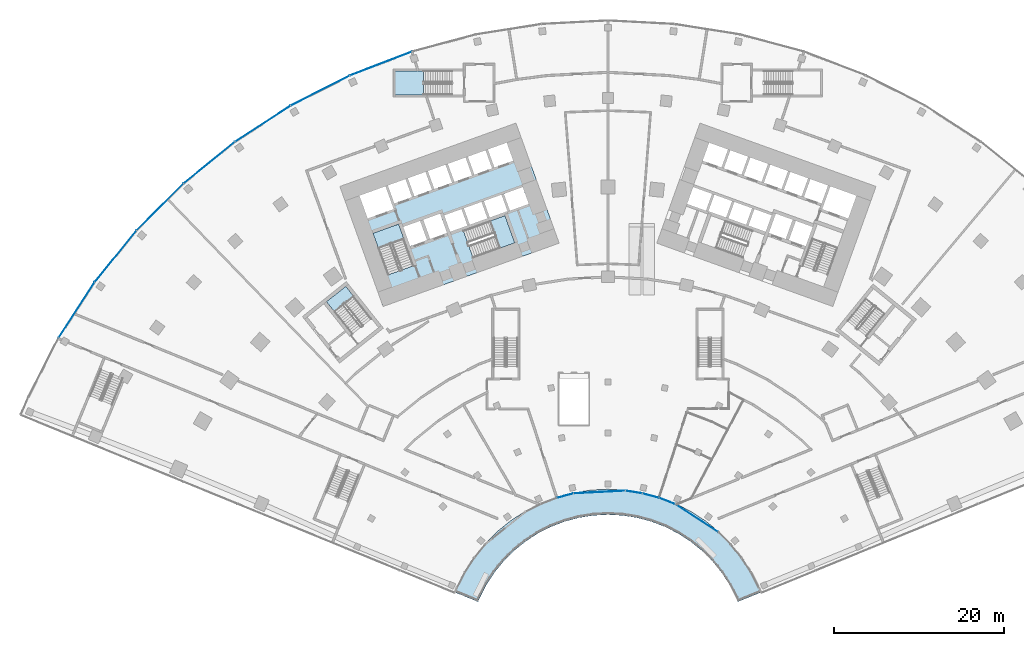
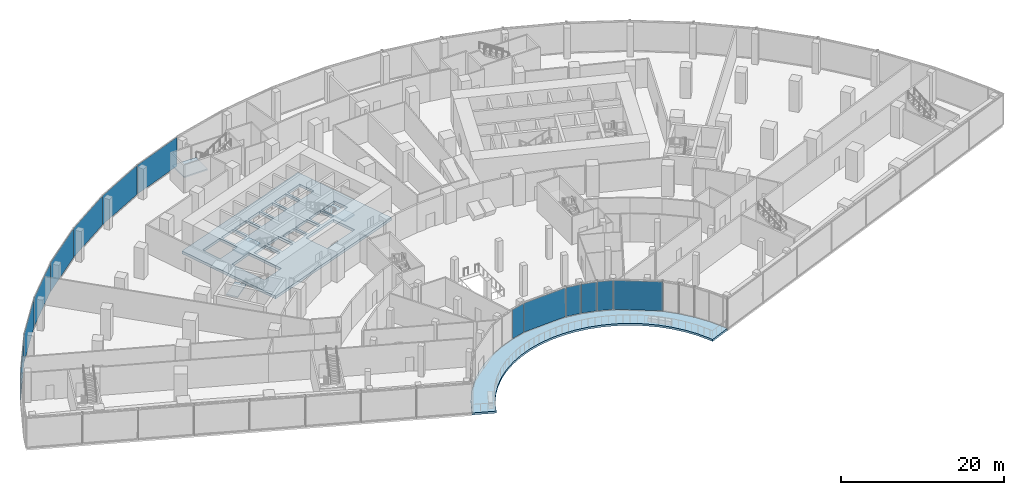
# One storey, part 19 of 40: 13 plates, 6 slabs, 6 elements without a shape of their own.
"""IFC4 building model written with IfcOpenShell, lengths in metres."""

from ifc_helpers import new_model, si_unit, direction, frame, origin, origin_2d, place, context, subcontext, project, spatial, polyline, rectangle, outline, extrude, material, layer, layer_set, type_object, element, aggregate, save


model = new_model("IFC4")

# Units and contexts
model_context = context("Model", 3, precision=1e-05, world=origin(), true_north=direction((0.0, 1.0)))
body_context = subcontext(model_context, "Body", "Model", "MODEL_VIEW")
ifc_project = project(units=[si_unit("LENGTHUNIT", "METRE"), si_unit("AREAUNIT", "SQUARE_METRE"), si_unit("VOLUMEUNIT", "CUBIC_METRE"), si_unit("PLANEANGLEUNIT", "RADIAN"), si_unit("MASSUNIT", "GRAM", prefix="KILO")], contexts=[model_context])

# Site, building, storey
site_placement = place(None, origin())
site = spatial("IfcSite", under=ifc_project, at=site_placement, CompositionType="ELEMENT")
building_placement = place(site_placement, origin())
building = spatial("IfcBuilding", under=site, at=building_placement, Name="Stone Belt Terrace Tower", CompositionType="ELEMENT")
storey_placement = place(building_placement, frame((0.0, 0.0, 7.0)))
storey = spatial("IfcBuildingStorey", under=building, at=storey_placement, Name="L01", CompositionType="ELEMENT", Elevation=7.0)

# Curtain wall, plates
ifc_material_1 = material(Name="Aluminium 6063-T6 anodised frame", Category="aluminium")
ifc_layer_1 = layer(ifc_material_1, 0.14990234375)
ifc_layer_set_1 = layer_set([ifc_layer_1], Name="CW-D podium shopfront")
curtain_wall_type = type_object("IfcCurtainWallType", Name="CW-D podium shopfront", PredefinedType="NOTDEFINED", material=ifc_layer_set_1)
curtain_wall_1_placement = place(storey_placement, origin())
curtain_wall_1 = element("IfcCurtainWall", 1, at=curtain_wall_1_placement, inside=storey, type_object=curtain_wall_type, Name="CW-D concave face L01", PredefinedType="NOTDEFINED")
ifc_material_2 = material(Name="Clear double glazed unit")
ifc_layer_2 = layer(ifc_material_2, 0.031982421875)
ifc_layer_set_2 = layer_set([ifc_layer_2], Name="CW-D glass panel 32")
plate_type = type_object("IfcPlateType", Name="CW-D glass panel 32", PredefinedType="CURTAIN_PANEL", material=ifc_layer_set_2)
plate_1_placement = place(storey_placement, frame((-5.0244140625, 18.736328125, 0.14013671875), z_axis=(0.0, 0.0, 1.0), x_axis=(0.965925826289, 0.258819045103, 0.0)))
plate_1 = element("IfcPlate", 2, at=plate_1_placement, type_object=plate_type, Name="CW-D panel 8.1", PredefinedType="CURTAIN_PANEL", context=body_context, shape_type="SweptSolid", body=[
    extrude(rectangle(XDim=1.957763671875, YDim=0.031982421875, at=origin_2d()), origin(), (0.0, 0.0, 1.0), 4.320068359375),
])
plate_2_placement = place(storey_placement, frame((-1.004150390625, 19.15869140625, 0.14013671875), z_axis=(0.0, 0.0, 1.0), x_axis=(0.998629534755, 0.052335956243, 0.0)))
plate_2 = element("IfcPlate", 3, at=plate_2_placement, type_object=plate_type, Name="CW-D panel 9.1", PredefinedType="CURTAIN_PANEL", context=body_context, shape_type="SweptSolid", body=[
    extrude(rectangle(XDim=6.009765625, YDim=0.031982421875, at=origin_2d()), origin(), (0.0, 0.0, 1.0), 4.320068359375),
])
plate_3_placement = place(storey_placement, frame((3.038330078125, 19.158935546875, 0.14013671875), z_axis=(0.0, 0.0, 1.0), x_axis=(0.987688340595, -0.15643446504, 0.0)))
plate_3 = element("IfcPlate", 4, at=plate_3_placement, type_object=plate_type, Name="CW-D panel 10.1", PredefinedType="CURTAIN_PANEL", context=body_context, shape_type="SweptSolid", body=[
    extrude(rectangle(XDim=1.957763671875, YDim=0.031982421875, at=origin_2d()), origin(), (0.0, 0.0, 1.0), 4.320068359375),
])
plate_4_placement = place(storey_placement, frame((5.020751953125, 18.7373046875, 0.14013671875), z_axis=(0.0, 0.0, 1.0), x_axis=(0.965925826289, -0.258819045103, 0.0)))
plate_4 = element("IfcPlate", 5, at=plate_4_placement, type_object=plate_type, Name="CW-D panel 11.1", PredefinedType="CURTAIN_PANEL", context=body_context, shape_type="SweptSolid", body=[
    extrude(rectangle(XDim=1.965576171875, YDim=0.031982421875, at=origin_2d()), origin(), (0.0, 0.0, 1.0), 4.320068359375),
])
plate_5_placement = place(storey_placement, frame((6.947998046875, 18.111328125, 0.14013671875), z_axis=(0.0, 0.0, 1.0), x_axis=(0.933580426497, -0.358367949545, 0.0)))
plate_5 = element("IfcPlate", 6, at=plate_5_placement, type_object=plate_type, Name="CW-D panel 12.1", PredefinedType="CURTAIN_PANEL", context=body_context, shape_type="SweptSolid", body=[
    extrude(rectangle(XDim=1.957763671875, YDim=0.031982421875, at=origin_2d()), origin(), (0.0, 0.0, 1.0), 4.320068359375),
])
plate_6_placement = place(storey_placement, frame((10.448974609375, 16.08984375, 0.14013671875), z_axis=(0.0, 0.0, 1.0), x_axis=(0.838670567945, -0.544639035015, 0.0)))
plate_6 = element("IfcPlate", 7, at=plate_6_placement, type_object=plate_type, Name="CW-D panel 13.1", PredefinedType="CURTAIN_PANEL", context=body_context, shape_type="SweptSolid", body=[
    extrude(rectangle(XDim=6.009765625, YDim=0.031982421875, at=origin_2d()), origin(), (0.0, 0.0, 1.0), 4.320068359375),
])
aggregate(curtain_wall_1, [plate_1, plate_2, plate_3, plate_4, plate_5, plate_6])

curtain_wall_2_placement = place(storey_placement, origin())
curtain_wall_2 = element("IfcCurtainWall", 8, at=curtain_wall_2_placement, inside=storey, type_object=curtain_wall_type, Name="CW-D convex face L01", PredefinedType="NOTDEFINED")
plate_7_placement = place(storey_placement, frame((-26.688720703125, 69.5263671875, 0.14013671875), z_axis=(0.0, 0.0, 1.0), x_axis=(-0.933580426497, -0.358367949545, 0.0)))
plate_7 = element("IfcPlate", 9, at=plate_7_placement, type_object=plate_type, Name="CW-D panel 16.1", PredefinedType="CURTAIN_PANEL", context=body_context, shape_type="SweptSolid", body=[
    extrude(rectangle(XDim=7.738037109375, YDim=0.031982421875, at=origin_2d()), origin(), (0.0, 0.0, 1.0), 4.320068359375),
])
plate_8_placement = place(storey_placement, frame((-33.81005859375, 66.35595703125, 0.14013671875), z_axis=(0.0, 0.0, 1.0), x_axis=(-0.891006524188, -0.45399049974, 0.0)))
plate_8 = element("IfcPlate", 10, at=plate_8_placement, type_object=plate_type, Name="CW-D panel 17.1", PredefinedType="CURTAIN_PANEL", context=body_context, shape_type="SweptSolid", body=[
    extrude(rectangle(XDim=7.738037109375, YDim=0.031982421875, at=origin_2d()), origin(), (0.0, 0.0, 1.0), 4.320068359375),
])
plate_9_placement = place(storey_placement, frame((-40.560791015625, 62.458251953125, 0.14013671875), z_axis=(0.0, 0.0, 1.0), x_axis=(-0.838670567945, -0.544639035015, 0.0)))
plate_9 = element("IfcPlate", 11, at=plate_9_placement, type_object=plate_type, Name="CW-D panel 18.1", PredefinedType="CURTAIN_PANEL", context=body_context, shape_type="SweptSolid", body=[
    extrude(rectangle(XDim=7.738037109375, YDim=0.031982421875, at=origin_2d()), origin(), (0.0, 0.0, 1.0), 4.320068359375),
])
plate_10_placement = place(storey_placement, frame((-46.867431640625, 57.876220703125, 0.14013671875), z_axis=(0.0, 0.0, 1.0), x_axis=(-0.777145961457, -0.62932039105, 0.0)))
plate_10 = element("IfcPlate", 12, at=plate_10_placement, type_object=plate_type, Name="CW-D panel 19.1", PredefinedType="CURTAIN_PANEL", context=body_context, shape_type="SweptSolid", body=[
    extrude(rectangle(XDim=7.738037109375, YDim=0.031982421875, at=origin_2d()), origin(), (0.0, 0.0, 1.0), 4.320068359375),
])
plate_11_placement = place(storey_placement, frame((-52.660400390625, 52.660400390625, 0.14013671875), z_axis=(0.0, 0.0, 1.0), x_axis=(-0.707106781187, -0.707106781187, 0.0)))
plate_11 = element("IfcPlate", 13, at=plate_11_placement, type_object=plate_type, Name="CW-D panel 20.1", PredefinedType="CURTAIN_PANEL", context=body_context, shape_type="SweptSolid", body=[
    extrude(rectangle(XDim=7.738037109375, YDim=0.031982421875, at=origin_2d()), origin(), (0.0, 0.0, 1.0), 4.320068359375),
])
plate_12_placement = place(storey_placement, frame((-57.876220703125, 46.867431640625, 0.14013671875), z_axis=(0.0, 0.0, 1.0), x_axis=(-0.62932039105, -0.777145961457, 0.0)))
plate_12 = element("IfcPlate", 14, at=plate_12_placement, type_object=plate_type, Name="CW-D panel 21.1", PredefinedType="CURTAIN_PANEL", context=body_context, shape_type="SweptSolid", body=[
    extrude(rectangle(XDim=7.738037109375, YDim=0.031982421875, at=origin_2d()), origin(), (0.0, 0.0, 1.0), 4.320068359375),
])
plate_13_placement = place(storey_placement, frame((-62.458251953125, 40.560791015625, 0.14013671875), z_axis=(0.0, 0.0, 1.0), x_axis=(-0.544639035015, -0.838670567945, 0.0)))
plate_13 = element("IfcPlate", 15, at=plate_13_placement, type_object=plate_type, Name="CW-D panel 22.1", PredefinedType="CURTAIN_PANEL", context=body_context, shape_type="SweptSolid", body=[
    extrude(rectangle(XDim=7.738037109375, YDim=0.031982421875, at=origin_2d()), origin(), (0.0, 0.0, 1.0), 4.320068359375),
])
aggregate(curtain_wall_2, [plate_7, plate_8, plate_9, plate_10, plate_11, plate_12, plate_13])

# Slab
ifc_material_3 = material(Name="Concrete B40", Category="concrete")
ifc_layer_3 = layer(ifc_material_3, 0.39990234375)
ifc_layer_set_3 = layer_set([ifc_layer_3], Name="Core floor slab 400")
slab_type_1 = type_object("IfcSlabType", Name="Core floor slab 400", PredefinedType="FLOOR", material=ifc_layer_set_3)
slab_1_placement = place(storey_placement, frame((0.0, 0.0, -0.39990234375)))
element("IfcSlab", 16, at=slab_1_placement, inside=storey, type_object=slab_type_1, Name="Core A floor L01", PredefinedType="FLOOR", context=body_context, shape_type="SweptSolid", body=[
    extrude(outline(polyline([(-26.43505859375, 40.968994140625), (-5.735107421875, 48.4189453125), (-10.81396484375, 62.531982421875), (-31.513916015625, 55.0830078125), (-26.43505859375, 40.968994140625)]), holes=[polyline([(-24.60791015625, 50.659912109375), (-22.847900390625, 45.76806640625), (-25.85888671875, 44.68408203125), (-27.618896484375, 49.575927734375), (-24.60791015625, 50.659912109375)]), polyline([(-21.27392578125, 48.778076171875), (-23.25, 48.06689453125), (-24.06298828125, 50.324951171875), (-22.0869140625, 51.035888671875), (-21.27392578125, 48.778076171875)]), polyline([(-18.922119140625, 49.6240234375), (-20.89794921875, 48.9130859375), (-21.7109375, 51.1708984375), (-19.735107421875, 51.883056640625), (-18.922119140625, 49.6240234375)]), polyline([(-19.239990234375, 51.68896484375), (-17.217041015625, 52.4169921875), (-16.52294921875, 50.488037109375), (-18.5458984375, 49.760009765625), (-19.239990234375, 51.68896484375)]), polyline([(-29.2109375, 53.9990234375), (-26.153076171875, 55.09912109375), (-25.18798828125, 52.41796875), (-28.24609375, 51.31689453125), (-29.2109375, 53.9990234375)]), polyline([(-23.801025390625, 55.946044921875), (-23.0390625, 53.8291015625), (-25.10888671875, 53.083984375), (-25.87109375, 55.200927734375), (-23.801025390625, 55.946044921875)]), polyline([(-21.447998046875, 56.7919921875), (-20.68603515625, 54.675048828125), (-22.756103515625, 53.929931640625), (-23.51806640625, 56.047119140625), (-21.447998046875, 56.7919921875)]), polyline([(-19.095947265625, 57.638916015625), (-18.333984375, 55.52197265625), (-20.404052734375, 54.777099609375), (-21.166015625, 56.89404296875), (-19.095947265625, 57.638916015625)]), polyline([(-15.846923828125, 46.69189453125), (-16.998046875, 49.89208984375), (-12.10595703125, 51.652099609375), (-10.955078125, 48.452880859375), (-15.846923828125, 46.69189453125)]), polyline([(-16.239990234375, 50.589111328125), (-16.93408203125, 52.51806640625), (-14.864013671875, 53.262939453125), (-14.169921875, 51.333984375), (-16.239990234375, 50.589111328125)]), polyline([(-11.801025390625, 52.134033203125), (-11.847900390625, 52.116943359375), (-11.864990234375, 52.1640625), (-13.887939453125, 51.43603515625), (-14.58203125, 53.364990234375), (-12.511962890625, 54.110107421875), (-11.801025390625, 52.134033203125)]), polyline([(-9.30810546875, 53.031005859375), (-11.51904296875, 52.235107421875), (-12.22998046875, 54.2109375), (-10.01904296875, 55.007080078125), (-9.30810546875, 53.031005859375)]), polyline([(-16.743896484375, 58.485107421875), (-15.98193359375, 56.367919921875), (-18.052001953125, 55.623046875), (-18.81396484375, 57.739990234375), (-16.743896484375, 58.485107421875)]), polyline([(-14.39111328125, 59.33203125), (-13.6298828125, 57.215087890625), (-15.699951171875, 56.469970703125), (-16.4609375, 58.5869140625), (-14.39111328125, 59.33203125)]), polyline([(-11.89794921875, 60.22900390625), (-11.135986328125, 58.112060546875), (-13.346923828125, 57.31591796875), (-14.10888671875, 59.43408203125), (-11.89794921875, 60.22900390625)])]), origin(), (0.0, 0.0, 1.0), 0.39990234375),
])

# Stair, slab
ifc_material_4 = material(Name="Concrete B30", Category="concrete")
stair_type_1 = type_object("IfcStairType", Name="Podium stair concrete B30", PredefinedType="HALF_TURN_STAIR", material=ifc_material_4)
stair_1_placement = place(storey_placement, origin())
stair_1 = element("IfcStair", 17, at=stair_1_placement, inside=storey, type_object=stair_type_1, Name="L01 podium exit stair 7", PredefinedType="HALF_TURN_STAIR")
ifc_layer_4 = layer(ifc_material_4, 0.199951171875)
ifc_layer_set_4 = layer_set([ifc_layer_4], Name="Podium stair landing concrete B30")
slab_type_2 = type_object("IfcSlabType", Name="Podium stair landing concrete B30", PredefinedType="LANDING", material=ifc_layer_set_4)
slab_2_placement = place(storey_placement, frame((0.0, 0.0, 2.10009765625)))
slab_2 = element("IfcSlab", 18, at=slab_2_placement, type_object=slab_type_2, Name="PS7 landing 1", PredefinedType="LANDING", context=body_context, shape_type="SweptSolid", body=[
    extrude(outline(polyline([(-21.697021484375, 68.675048828125), (-25.010009765625, 68.675048828125), (-25.010009765625, 65.824951171875), (-21.697021484375, 65.824951171875), (-21.697021484375, 68.675048828125)])), origin(), (0.0, 0.0, 1.0), 0.199951171875),
])
aggregate(stair_1, [slab_2])

stair_type_2 = type_object("IfcStairType", Name="Exit stair 1500", PredefinedType="HALF_TURN_STAIR", material=ifc_material_3)
stair_2_placement = place(storey_placement, origin())
stair_2 = element("IfcStair", 19, at=stair_2_placement, inside=storey, type_object=stair_type_2, Name="L01 Exit stair 1 core A", PredefinedType="HALF_TURN_STAIR")
ifc_layer_5 = layer(ifc_material_3, 0.199951171875)
ifc_layer_set_5 = layer_set([ifc_layer_5], Name="Stair landing 200")
slab_type_3 = type_object("IfcSlabType", Name="Stair landing 200", PredefinedType="LANDING", material=ifc_layer_set_5)
slab_3_placement = place(storey_placement, frame((0.0, 0.0, 2.10009765625)))
slab_3 = element("IfcSlab", 20, at=slab_3_placement, type_object=slab_type_3, Name="ST1A landing 1", PredefinedType="LANDING", context=body_context, shape_type="SweptSolid", body=[
    extrude(outline(polyline([(-23.985107421875, 48.927734375), (-24.6083984375, 50.659912109375), (-27.619384765625, 49.576171875), (-26.99609375, 47.84423828125), (-23.985107421875, 48.927734375)])), origin(), (0.0, 0.0, 1.0), 0.199951171875),
])
aggregate(stair_2, [slab_3])

stair_3_placement = place(storey_placement, origin())
stair_3 = element("IfcStair", 21, at=stair_3_placement, inside=storey, type_object=stair_type_2, Name="L01 Exit stair 2 core A", PredefinedType="HALF_TURN_STAIR")
slab_4_placement = place(storey_placement, frame((0.0, 0.0, 2.10009765625)))
slab_4 = element("IfcSlab", 22, at=slab_4_placement, type_object=slab_type_3, Name="ST2A landing 1", PredefinedType="LANDING", context=body_context, shape_type="SweptSolid", body=[
    extrude(outline(polyline([(-12.6865234375, 47.82958984375), (-10.95458984375, 48.453125), (-12.10595703125, 51.652099609375), (-13.837890625, 51.02880859375), (-12.6865234375, 47.82958984375)])), origin(), (0.0, 0.0, 1.0), 0.199951171875),
])
aggregate(stair_3, [slab_4])

stair_4_placement = place(storey_placement, origin())
stair_4 = element("IfcStair", 23, at=stair_4_placement, inside=storey, type_object=stair_type_2, Name="L01 Exit stair 3A", PredefinedType="HALF_TURN_STAIR")
slab_5_placement = place(storey_placement, frame((0.0, 0.0, 2.10009765625)))
slab_5 = element("IfcSlab", 24, at=slab_5_placement, type_object=slab_type_3, Name="ST3A landing 1", PredefinedType="LANDING", context=body_context, shape_type="SweptSolid", body=[
    extrude(outline(polyline([(-29.890625, 42.171875), (-30.819580078125, 43.337890625), (-33.087646484375, 41.53076171875), (-32.15869140625, 40.36474609375), (-29.890625, 42.171875)])), origin(), (0.0, 0.0, 1.0), 0.199951171875),
])
aggregate(stair_4, [slab_5])

# Slab
ifc_layer_6 = layer(ifc_material_3, 0.300048828125)
ifc_layer_set_6 = layer_set([ifc_layer_6], Name="Terrace slab 300 B40")
slab_type_4 = type_object("IfcSlabType", Name="Terrace slab 300 B40", PredefinedType="FLOOR", material=ifc_layer_set_6)
slab_6_placement = place(storey_placement, frame((0.0, 0.0, -0.300048828125)))
element("IfcSlab", 25, at=slab_6_placement, inside=storey, type_object=slab_type_4, Name="Terrace slab L01-podium_terrace-1", PredefinedType="FLOOR", context=body_context, shape_type="SweptSolid", body=[
    extrude(outline(polyline([(15.267333984375, 6.257568359375), (18.043212890625, 7.395263671875), (17.814208984375, 7.931396484375), (16.887451171875, 9.75), (15.77587890625, 11.4619140625), (14.4912109375, 13.048095703125), (13.048095703125, 14.4912109375), (11.4619140625, 15.77587890625), (9.75, 16.887451171875), (7.931396484375, 17.814208984375), (6.02587890625, 18.545654296875), (4.05419921875, 19.073974609375), (2.038330078125, 19.393310546875), (0.0, 19.5), (-2.038330078125, 19.393310546875), (-4.05419921875, 19.073974609375), (-6.02587890625, 18.545654296875), (-7.931396484375, 17.814208984375), (-9.75, 16.887451171875), (-11.4619140625, 15.77587890625), (-13.048095703125, 14.4912109375), (-14.4912109375, 13.048095703125), (-15.77587890625, 11.4619140625), (-16.887451171875, 9.75), (-17.814208984375, 7.931396484375), (-18.043212890625, 7.395263671875), (-15.267333984375, 6.257568359375), (-15.073486328125, 6.711181640625), (-14.289306640625, 8.25), (-13.348876953125, 9.698486328125), (-12.261962890625, 11.040771484375), (-11.040771484375, 12.261962890625), (-9.698486328125, 13.348876953125), (-8.25, 14.289306640625), (-6.711181640625, 15.073486328125), (-5.098876953125, 15.6923828125), (-3.430419921875, 16.139404296875), (-1.724609375, 16.40966796875), (0.0, 16.5), (1.724609375, 16.40966796875), (3.430419921875, 16.139404296875), (5.098876953125, 15.6923828125), (6.711181640625, 15.073486328125), (8.25, 14.289306640625), (9.698486328125, 13.348876953125), (11.040771484375, 12.261962890625), (12.261962890625, 11.040771484375), (13.348876953125, 9.698486328125), (14.289306640625, 8.25), (15.073486328125, 6.711181640625), (15.267333984375, 6.257568359375)])), origin(), (0.0, 0.0, 1.0), 0.300048828125),
])

save(model, "model.ifc")
